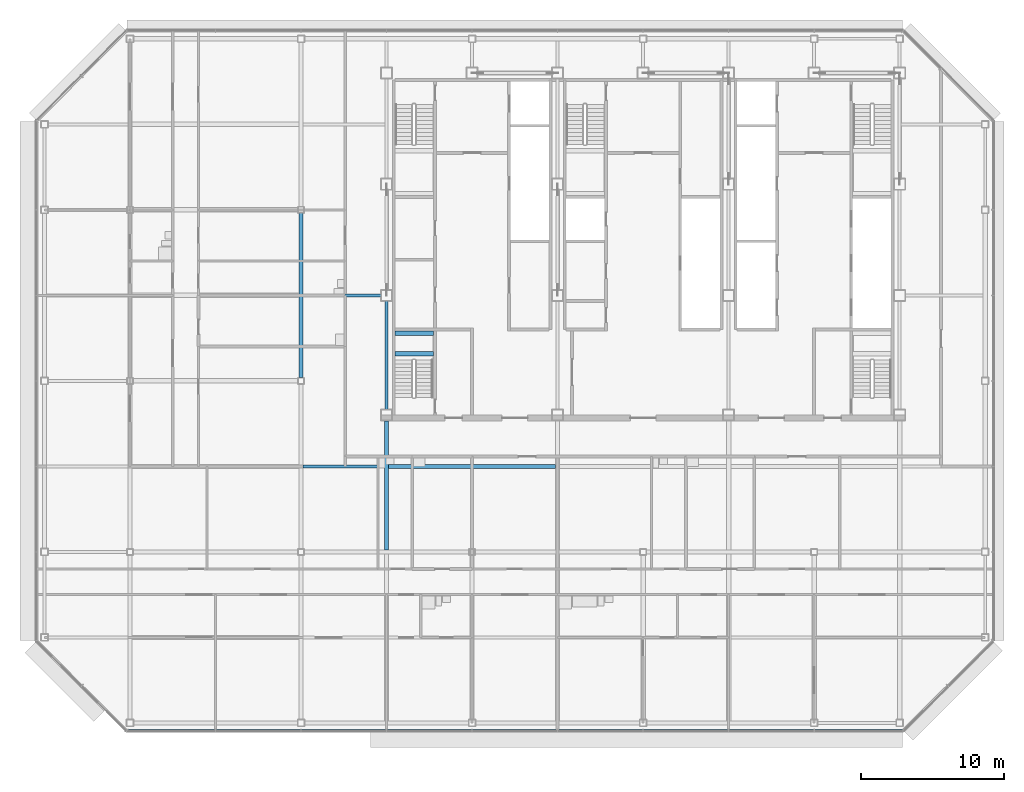
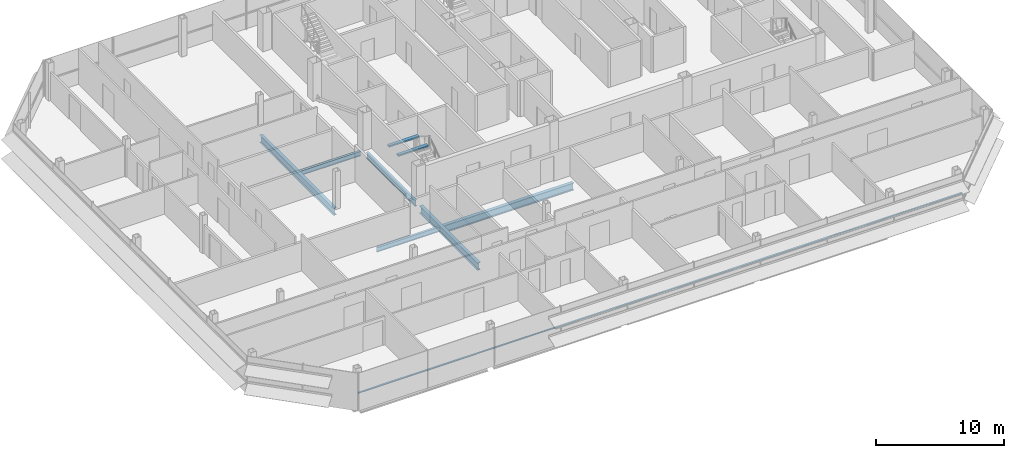
# One storey, part 9 of 27: 8 beams, 1 member, 1 element without a shape of its own.
"""IFC4 building model written with IfcOpenShell, lengths in metres."""

from ifc_helpers import new_model, si_unit, direction, frame, origin, origin_2d, place, context, subcontext, project, spatial, rectangle, i_section, extrude, material, material_profile, profile_set, type_object, element, aggregate, save


model = new_model("IFC4")

# Units and contexts
model_context = context("Model", 3, precision=1e-05, world=origin(), true_north=direction((0.0, 1.0)))
body_context = subcontext(model_context, "Body", "Model", "MODEL_VIEW")
ifc_project = project(units=[si_unit("LENGTHUNIT", "METRE"), si_unit("AREAUNIT", "SQUARE_METRE"), si_unit("VOLUMEUNIT", "CUBIC_METRE"), si_unit("PLANEANGLEUNIT", "RADIAN"), si_unit("MASSUNIT", "GRAM", prefix="KILO")], contexts=[model_context])

# Site, building, storey
site_placement = place(None, origin())
site = spatial("IfcSite", under=ifc_project, at=site_placement, CompositionType="ELEMENT")
building_placement = place(site_placement, origin())
building = spatial("IfcBuilding", under=site, at=building_placement, Name="Sorahane Residences", CompositionType="ELEMENT")
storey_placement = place(building_placement, frame((0.0, 0.0, 323.199951171875)))
storey = spatial("IfcBuildingStorey", under=building, at=storey_placement, Name="L77", CompositionType="ELEMENT", Elevation=323.199951171875)

# Curtain wall, member
ifc_material_1 = material(Name="Dark low-e glass and black anodised aluminium", Category="aluminium")
curtain_wall_type = type_object("IfcCurtainWallType", Name="Curtain wall CW-1 Typical unitised wall", PredefinedType="NOTDEFINED", material=ifc_material_1)
curtain_wall_placement = place(storey_placement, origin())
curtain_wall = element("IfcCurtainWall", 1, at=curtain_wall_placement, inside=storey, type_object=curtain_wall_type, Name="CW-1 curtain wall L77 S1", PredefinedType="NOTDEFINED")
ifc_material_2 = material(Name="Black anodised aluminium", Category="aluminium")
ifc_material_profile_1 = material_profile(ifc_material_2, rectangle(XDim=0.10009765625, YDim=0.06005859375, at=origin_2d()), Name="Curtain wall transom CW-1 black anodised aluminium 60x100")
ifc_profile_set_1 = profile_set([ifc_material_profile_1], Name="Black anodised aluminium")
member_type = type_object("IfcMemberType", Name="Curtain wall transom CW-1 black anodised aluminium 60x100", PredefinedType="USERDEFINED", material=ifc_profile_set_1)
member_placement = place(storey_placement, frame((-12.198486328125, -0.530029296875, 1.5), z_axis=(1.0, 0.0, 0.0), x_axis=(0.0, 1.0, 0.0)))
member = element("IfcMember", 2, at=member_placement, type_object=member_type, Name="CW-1 transom L77 S1", ObjectType="TRANSOM", PredefinedType="USERDEFINED", context=body_context, shape_type="SweptSolid", body=[
    extrude(rectangle(XDim=0.10009765625, YDim=0.06005859375, at=origin_2d()), origin(), (0.0, 0.0, 1.0), 54.39697265625),
])
aggregate(curtain_wall, [member])

# Beams
ifc_material_3 = material(Name="Concrete C40", Category="concrete")
ifc_material_profile_2 = material_profile(ifc_material_3, rectangle(XDim=0.300048828125, YDim=0.139892578125, at=origin_2d()), Name="300x140")
ifc_profile_set_2 = profile_set([ifc_material_profile_2], Name="Concrete C40")
beam_type_1 = type_object("IfcBeamType", Name="RC landing beam 300 x 140 Concrete C40", PredefinedType="BEAM", material=ifc_profile_set_2)
for number, where, z_axis, x_axis, name in (
    (3, (6.60009765625, 25.89990234375, 1.530029296875), (1.0, 0.0, 0.0), (0.0, 1.0, 0.0), "Landing beam"),
    (4, (6.60009765625, 27.35009765625, 1.530029296875), (1.0, 0.0, 0.0), (0.0, 1.0, 0.0), "Landing beam"),
):
    element("IfcBeam", number, at=place(storey_placement, frame(where, z_axis=z_axis, x_axis=x_axis)), inside=storey, type_object=beam_type_1, Name=name, PredefinedType="BEAM", context=body_context, shape_type="SweptSolid", body=[
        extrude(rectangle(XDim=0.300048828125, YDim=0.139892578125, at=origin_2d()), origin(), (0.0, 0.0, 1.0), 2.699951171875),
    ])
ifc_material_4 = material(Name="Steel Q355B", Category="steel")
ifc_material_profile_3 = material_profile(ifc_material_4, i_section(OverallWidth=0.199951171875, OverallDepth=0.449951171875, WebThickness=0.009033203125, FlangeThickness=0.013916015625, FilletRadius=0.02001953125, at=origin_2d()), Name="HN 450x200x9x14")
ifc_profile_set_3 = profile_set([ifc_material_profile_3], Name="Steel Q355B")
beam_type_2 = type_object("IfcBeamType", Name="Steel floor beam HN 450x200x9x14 Q355B", PredefinedType="BEAM", material=ifc_profile_set_3)
beam_1_placement = place(storey_placement, frame((0.14990234375, 18.0, -0.405029296875), z_axis=(1.0, 0.0, 0.0), x_axis=(0.0, 1.0, 0.0)))
element("IfcBeam", 5, at=beam_1_placement, inside=storey, type_object=beam_type_2, Name="Beam L77 078", PredefinedType="BEAM", context=body_context, shape_type="SweptSolid", body=[
    extrude(i_section(OverallWidth=0.199951171875, OverallDepth=0.449951171875, WebThickness=0.009033203125, FlangeThickness=0.013916015625, FilletRadius=0.02001953125, at=origin_2d()), origin(), (0.0, 0.0, 1.0), 5.7001953125),
])
beam_2_placement = place(storey_placement, frame((0.14990234375, 30.0, -0.405029296875), z_axis=(1.0, 0.0, 0.0), x_axis=(0.0, 1.0, 0.0)))
element("IfcBeam", 6, at=beam_2_placement, inside=storey, type_object=beam_type_2, Name="Beam L77 085", PredefinedType="BEAM", context=body_context, shape_type="SweptSolid", body=[
    extrude(i_section(OverallWidth=0.199951171875, OverallDepth=0.449951171875, WebThickness=0.009033203125, FlangeThickness=0.013916015625, FilletRadius=0.02001953125, at=origin_2d()), origin(), (0.0, 0.0, 1.0), 5.4501953125),
])
ifc_material_5 = material(Name="Steel Q355B", Category="steel")
ifc_material_profile_4 = material_profile(ifc_material_5, i_section(OverallWidth=0.199951171875, OverallDepth=0.60009765625, WebThickness=0.010986328125, FlangeThickness=0.01708984375, FilletRadius=0.02392578125, at=origin_2d()), Name="HN 600x200x11x17")
ifc_profile_set_4 = profile_set([ifc_material_profile_4], Name="Steel Q355B")
beam_type_3 = type_object("IfcBeamType", Name="Steel floor beam HN 600x200x11x17 Q355B", PredefinedType="BEAM", material=ifc_profile_set_4)
beam_3_placement = place(storey_placement, frame((6.0, 22.0, -0.47998046875), z_axis=(0.0, 1.0, 0.0), x_axis=(-1.0, 0.0, 0.0)))
element("IfcBeam", 7, at=beam_3_placement, inside=storey, type_object=beam_type_3, Name="Beam L77 034", PredefinedType="BEAM", context=body_context, shape_type="SweptSolid", body=[
    extrude(i_section(OverallWidth=0.199951171875, OverallDepth=0.60009765625, WebThickness=0.010986328125, FlangeThickness=0.01708984375, FilletRadius=0.02392578125, at=origin_2d()), origin(), (0.0, 0.0, 1.0), 7.60009765625),
])
ifc_material_6 = material(Name="Steel Q355B", Category="steel")
ifc_material_profile_5 = material_profile(ifc_material_6, i_section(OverallWidth=0.300048828125, OverallDepth=0.699951171875, WebThickness=0.012939453125, FlangeThickness=0.02392578125, FilletRadius=0.028076171875, at=origin_2d()), Name="HN 700x300x13x24")
ifc_profile_set_5 = profile_set([ifc_material_profile_5], Name="Steel Q355B")
beam_type_4 = type_object("IfcBeamType", Name="Steel floor beam HN 700x300x13x24 Q355B", PredefinedType="BEAM", material=ifc_profile_set_5)
beam_4_placement = place(storey_placement, frame((0.0, 24.22509765625, -0.530029296875), z_axis=(0.0, 1.0, 0.0), x_axis=(-1.0, 0.0, 0.0)))
element("IfcBeam", 8, at=beam_4_placement, inside=storey, type_object=beam_type_4, Name="Beam L77 030", PredefinedType="BEAM", context=body_context, shape_type="SweptSolid", body=[
    extrude(i_section(OverallWidth=0.300048828125, OverallDepth=0.699951171875, WebThickness=0.012939453125, FlangeThickness=0.02392578125, FilletRadius=0.028076171875, at=origin_2d()), origin(), (0.0, 0.0, 1.0), 11.5498046875),
])
beam_5_placement = place(storey_placement, frame((6.0, 12.14990234375, -0.530029296875), z_axis=(0.0, 1.0, 0.0), x_axis=(-1.0, 0.0, 0.0)))
element("IfcBeam", 9, at=beam_5_placement, inside=storey, type_object=beam_type_4, Name="Beam L77 033", PredefinedType="BEAM", context=body_context, shape_type="SweptSolid", body=[
    extrude(i_section(OverallWidth=0.300048828125, OverallDepth=0.699951171875, WebThickness=0.012939453125, FlangeThickness=0.02392578125, FilletRadius=0.028076171875, at=origin_2d()), origin(), (0.0, 0.0, 1.0), 9.050048828125),
])
beam_6_placement = place(storey_placement, frame((6.14990234375, 18.0, -0.530029296875), z_axis=(1.0, 0.0, 0.0), x_axis=(0.0, 1.0, 0.0)))
element("IfcBeam", 10, at=beam_6_placement, inside=storey, type_object=beam_type_4, Name="Beam L77 079", PredefinedType="BEAM", context=body_context, shape_type="SweptSolid", body=[
    extrude(i_section(OverallWidth=0.300048828125, OverallDepth=0.699951171875, WebThickness=0.012939453125, FlangeThickness=0.02392578125, FilletRadius=0.028076171875, at=origin_2d()), origin(), (0.0, 0.0, 1.0), 11.7001953125),
])

save(model, "model.ifc")
